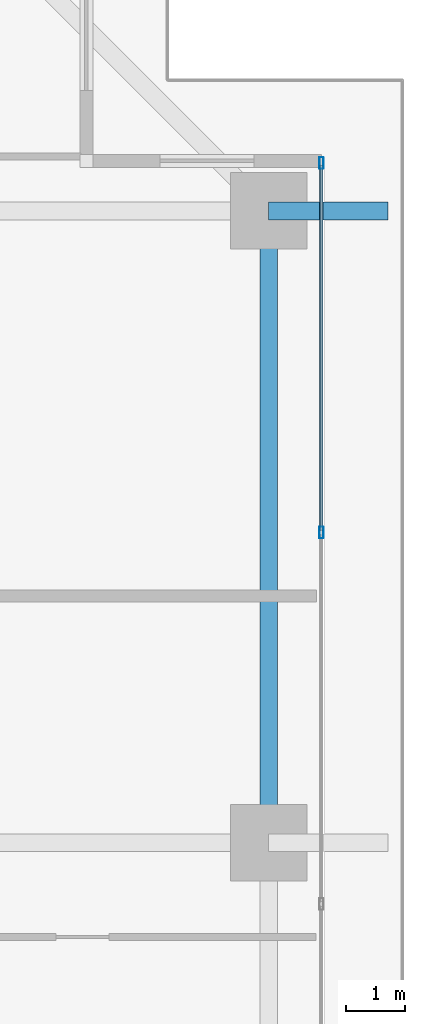
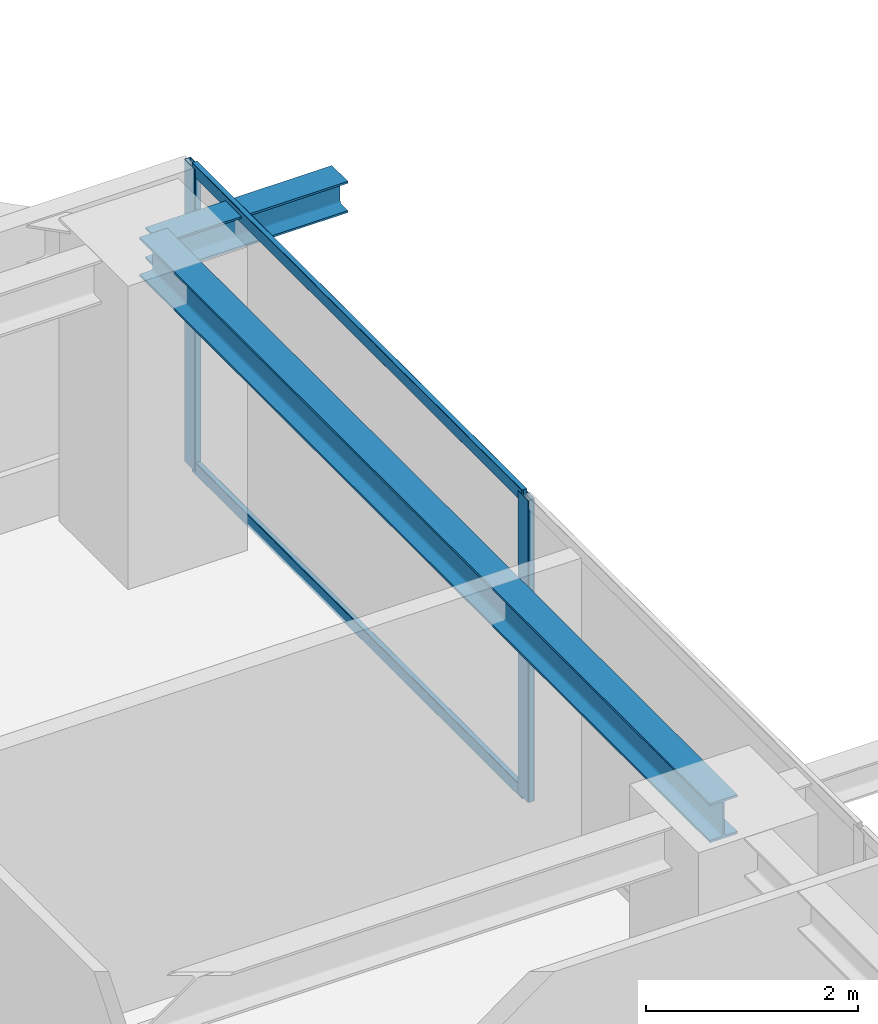
# One storey, part 24 of 39: 4 members, 2 beams, 1 element without a shape of its own.
"""IFC4 building model written with IfcOpenShell, lengths in metres."""

import ifcopenshell
import ifcopenshell.guid

model = None  # the IFC model being written
_history = None  # IfcOwnerHistory: only IFC2X3 demands one
_inside = {}  # id of a spatial element -> (the spatial element, [elements in it])
_under = {}  # id of a project, library or spatial element -> (it, [spatial elements below it])
_declared = {}  # id of a project -> (the project, [libraries it declares])
_typed = {}  # id of a type object -> (the type object, [elements of that type])
_made_of = {}  # id of a material, layer set ... -> (it, [elements and type objects made of it])


def new_model(schema):
    """Start an empty IFC model of exactly this schema.

    Asked for "IFC4X3", IfcOpenShell would pick the latest addendum, in which some entities
    have other attributes; the version numbers below select the first issue.
    IFC2X3 requires an IfcOwnerHistory on every rooted entity: one is made here for all.
    """
    global model, _history
    if schema == "IFC4X3":
        model = ifcopenshell.file(schema_version=(4, 3, 0, 0))
    else:
        model = ifcopenshell.file(schema=schema)
    _inside.clear()
    _under.clear()
    _declared.clear()
    _typed.clear()
    _made_of.clear()
    _history = None
    if model.schema == "IFC2X3":
        org = make("IfcOrganization", Name="unknown")
        user = make(
            "IfcPersonAndOrganization",
            ThePerson=make("IfcPerson", FamilyName="unknown"),
            TheOrganization=org,
        )
        app = make(
            "IfcApplication",
            ApplicationDeveloper=org,
            Version="unknown",
            ApplicationFullName="unknown",
            ApplicationIdentifier="unknown",
        )
        _history = make(
            "IfcOwnerHistory",
            OwningUser=user,
            OwningApplication=app,
            ChangeAction="ADDED",
            CreationDate=0,
        )
    return model


def make(cls, **values):
    """One entity of the class cls with the attributes given. An attribute that is None is left unset."""
    return model.create_entity(
        cls, **{name: value for name, value in values.items() if value is not None}
    )


def rooted(cls, **values):
    """An entity with a GlobalId (a new one), such as an element, a storey or a relation."""
    return make(cls, GlobalId=ifcopenshell.guid.new(), OwnerHistory=_history, **values)


def si_unit(unit_type, name, prefix=None):
    """IfcSIUnit, for example si_unit("LENGTHUNIT", "METRE", prefix="MILLI")."""
    return make("IfcSIUnit", UnitType=unit_type, Prefix=prefix, Name=name)


def assignment(units):
    """IfcUnitAssignment: the units of a project."""
    return None if units is None else make("IfcUnitAssignment", Units=units)


def point(xyz):
    """IfcCartesianPoint."""
    return None if xyz is None else make("IfcCartesianPoint", Coordinates=xyz)


def direction(xyz):
    """IfcDirection."""
    return None if xyz is None else make("IfcDirection", DirectionRatios=xyz)


def frame(location, z_axis=None, x_axis=None):
    """IfcAxis2Placement3D, a coordinate frame: its origin and axes. An axis left out is left unset."""
    return make(
        "IfcAxis2Placement3D",
        Location=point(location),
        Axis=direction(z_axis),
        RefDirection=direction(x_axis),
    )


def frame_2d(location, x_axis=None):
    """IfcAxis2Placement2D, a coordinate frame in the plane: its origin and x axis."""
    return make(
        "IfcAxis2Placement2D", Location=point(location), RefDirection=direction(x_axis)
    )


def origin():
    """The frame at (0, 0, 0) with its axes left unset."""
    return frame((0.0, 0.0, 0.0))


def origin_2d():
    """The frame at (0, 0) in the plane with its x axis left unset."""
    return frame_2d((0.0, 0.0))


def place(relative_to, where):
    """IfcLocalPlacement: puts the frame where relative to a parent placement (None: the world)."""
    return make(
        "IfcLocalPlacement", PlacementRelTo=relative_to, RelativePlacement=where
    )


def context(
    kind, dimensions, precision=None, world=None, true_north=None, identifier=None
):
    """IfcGeometricRepresentationContext, for example the 3D "Model" context."""
    return make(
        "IfcGeometricRepresentationContext",
        ContextIdentifier=identifier,
        ContextType=kind,
        CoordinateSpaceDimension=dimensions,
        Precision=precision,
        WorldCoordinateSystem=world,
        TrueNorth=true_north,
    )


def subcontext(parent, identifier, kind, view, scale=None):
    """IfcGeometricRepresentationSubContext, for example "Body" below "Model"."""
    return make(
        "IfcGeometricRepresentationSubContext",
        ContextIdentifier=identifier,
        ContextType=kind,
        ParentContext=parent,
        TargetScale=scale,
        TargetView=view,
    )


def project(units=None, contexts=None):
    """IfcProject with its units and contexts."""
    return rooted(
        "IfcProject",
        Name="project",
        RepresentationContexts=contexts,
        UnitsInContext=assignment(units),
    )


def spatial(cls, under=None, at=None, **own):
    """A site, building, storey or space (cls), placed at a placement, below another one or the project."""
    s = rooted(cls, ObjectPlacement=at, **own)
    if under is not None:
        _under.setdefault(under.id(), (under, []))[1].append(s)
    return s


def profile(cls, at=None, kind="AREA", **sizes):
    """A parametric profile (cls). Its sizes go by their IFC names, for example OverallWidth=200.0."""
    return make(cls, ProfileType=kind, Position=at, **sizes)


def hollow_rectangle(**sizes):
    """IfcRectangleHollowProfileDef."""
    return profile("IfcRectangleHollowProfileDef", **sizes)


def i_section(**sizes):
    """IfcIShapeProfileDef."""
    return profile("IfcIShapeProfileDef", **sizes)


def extrude(swept, where, along, depth):
    """IfcExtrudedAreaSolid: the profile swept, set in the frame where, extruded along a direction by depth."""
    return make(
        "IfcExtrudedAreaSolid",
        SweptArea=swept,
        Position=where,
        ExtrudedDirection=direction(along),
        Depth=depth,
    )


def shape(context_of_items, identifier, shape_type, items):
    """IfcShapeRepresentation: the items that make up one representation, for example the "Body"."""
    return make(
        "IfcShapeRepresentation",
        ContextOfItems=context_of_items,
        RepresentationIdentifier=identifier,
        RepresentationType=shape_type,
        Items=items,
    )


def source(mapping_origin, context_of_items, identifier, shape_type, items):
    """IfcRepresentationMap: a shape defined once, which mapped items show again and again."""
    return make(
        "IfcRepresentationMap",
        MappingOrigin=mapping_origin,
        MappedRepresentation=shape(context_of_items, identifier, shape_type, items),
    )


def transform(
    local_origin,
    x_axis=None,
    y_axis=None,
    z_axis=None,
    scale=None,
    scale2=None,
    scale3=None,
    uniform=True,
):
    """IfcCartesianTransformationOperator3D, or its non-uniform kind. x_axis, y_axis, z_axis: its Axis1, 2, 3."""
    if uniform:
        return make(
            "IfcCartesianTransformationOperator3D",
            Axis1=direction(x_axis),
            Axis2=direction(y_axis),
            LocalOrigin=point(local_origin),
            Scale=scale,
            Axis3=direction(z_axis),
        )
    return make(
        "IfcCartesianTransformationOperator3DnonUniform",
        Axis1=direction(x_axis),
        Axis2=direction(y_axis),
        LocalOrigin=point(local_origin),
        Scale=scale,
        Axis3=direction(z_axis),
        Scale2=scale2,
        Scale3=scale3,
    )


def mapped(mapping_source, mapping_target):
    """IfcMappedItem: shows the shape of a source again, moved by a transform."""
    return make(
        "IfcMappedItem", MappingSource=mapping_source, MappingTarget=mapping_target
    )


def material(Name=None, Category=None):
    """IfcMaterial."""
    return make("IfcMaterial", Name=Name, Category=Category)


def layer(
    of_material, thickness, ventilated=None, Name=None, Category=None, Priority=None
):
    """IfcMaterialLayer: one layer of a wall or slab, of a material (None: an air gap)."""
    return make(
        "IfcMaterialLayer",
        Material=of_material,
        LayerThickness=thickness,
        IsVentilated=ventilated,
        Name=Name,
        Category=Category,
        Priority=Priority,
    )


def layer_set(layers, Name=None):
    """IfcMaterialLayerSet."""
    return make("IfcMaterialLayerSet", MaterialLayers=layers, LayerSetName=Name)


def material_profile(
    of_material, cross_section, Name=None, Category=None, Priority=None
):
    """IfcMaterialProfile: a cross section and its material."""
    return make(
        "IfcMaterialProfile",
        Name=Name,
        Material=of_material,
        Profile=cross_section,
        Priority=Priority,
        Category=Category,
    )


def profile_set(profiles, Name=None, composite=None):
    """IfcMaterialProfileSet."""
    return make(
        "IfcMaterialProfileSet",
        Name=Name,
        MaterialProfiles=profiles,
        CompositeProfile=composite,
    )


def made_of(thing, what):
    """Note that an element or type object is made of a material, layer set ...; save() writes the relation."""
    if what is not None:
        _made_of.setdefault(what.id(), (what, []))[1].append(thing)
    return thing


def type_object(cls, material=None, **own):
    """A type object (cls), such as IfcWallType, which elements share."""
    return made_of(rooted(cls, **own), material)


def element(
    cls,
    number,
    at=None,
    inside=None,
    cuts=None,
    type_object=None,
    material=None,
    context=None,
    identifier="Body",
    shape_type=None,
    held_by="IfcProductDefinitionShape",
    body=None,
    shapes=None,
    **own,
):
    """One element of the class cls, such as IfcWall. Its Tag is "e" and its number.

    at: its placement. inside: the storey or other place that contains it. cuts: it is an
    opening in that element (IfcRelVoidsElement). A single representation is given by context,
    identifier, shape_type and body (its items); several are given by shapes. held_by: the class
    of the entity that holds the representations. save() writes the other relations.
    """
    e = rooted(cls, Tag="e%d" % number, ObjectPlacement=at, **own)
    if body is not None:
        shapes = [shape(context, identifier, shape_type, body)]
    if shapes is not None:
        e.Representation = make(held_by, Representations=shapes)
    if inside is not None:
        _inside.setdefault(inside.id(), (inside, []))[1].append(e)
    if cuts is not None:
        rooted(
            "IfcRelVoidsElement", RelatingBuildingElement=cuts, RelatedOpeningElement=e
        )
    if type_object is not None:
        _typed.setdefault(type_object.id(), (type_object, []))[1].append(e)
    return made_of(e, material)


def aggregate(whole, parts):
    """IfcRelAggregates: a whole, such as a stair, and the parts it consists of."""
    return rooted("IfcRelAggregates", RelatingObject=whole, RelatedObjects=parts)


def save(model, path):
    """Write the relations noted so far, then the file.

    IfcRelAggregates (storeys below a building ...), IfcRelContainedInSpatialStructure (elements
    in a storey), IfcRelDefinesByType, IfcRelAssociatesMaterial and IfcRelDeclares: one each for
    every whole, place, type object, material and project.
    """
    for whole, parts in _under.values():
        aggregate(whole, parts)
    for where, things in _inside.values():
        rooted(
            "IfcRelContainedInSpatialStructure",
            RelatedElements=things,
            RelatingStructure=where,
        )
    for kind, things in _typed.values():
        rooted("IfcRelDefinesByType", RelatedObjects=things, RelatingType=kind)
    for what, things in _made_of.values():
        rooted("IfcRelAssociatesMaterial", RelatedObjects=things, RelatingMaterial=what)
    for by, libraries in _declared.values():
        rooted("IfcRelDeclares", RelatingContext=by, RelatedDefinitions=libraries)
    model.write(path)


model = new_model("IFC4")

# Units and contexts
model_context = context("Model", 3, precision=1e-05, world=origin(), true_north=direction((0.0, 1.0)))
body_context = subcontext(model_context, "Body", "Model", "MODEL_VIEW")
ifc_project = project(units=[si_unit("LENGTHUNIT", "METRE"), si_unit("AREAUNIT", "SQUARE_METRE"), si_unit("VOLUMEUNIT", "CUBIC_METRE"), si_unit("PLANEANGLEUNIT", "RADIAN"), si_unit("MASSUNIT", "GRAM", prefix="KILO")], contexts=[model_context])

# Site, building, storey
site_placement = place(None, origin())
site = spatial("IfcSite", under=ifc_project, at=site_placement, CompositionType="ELEMENT")
building_placement = place(site_placement, origin())
building = spatial("IfcBuilding", under=site, at=building_placement, Name="Serunith Strait Residences", CompositionType="ELEMENT")
storey_placement = place(building_placement, frame((0.0, 0.0, 123.89990234375)))
storey = spatial("IfcBuildingStorey", under=building, at=storey_placement, Name="L30", CompositionType="ELEMENT", Elevation=123.89990234375)

# Beams
ifc_material_1 = material(Name="Steel S355J2", Category="steel")
ifc_material_profile_1 = material_profile(ifc_material_1, i_section(OverallWidth=0.300048828125, OverallDepth=0.449951171875, WebThickness=0.013916015625, FlangeThickness=0.02587890625, FilletRadius=0.027099609375, at=origin_2d()), Name="HEB 450")
ifc_profile_set_1 = profile_set([ifc_material_profile_1], Name="Steel S355J2")
beam_type_1 = type_object("IfcBeamType", Name="BM-HEB450", PredefinedType="BEAM", material=ifc_profile_set_1)
shared_shape_1 = source(origin(), body_context, "Body", "SweptSolid", [
    extrude(i_section(OverallWidth=0.300048828125, OverallDepth=0.449951171875, WebThickness=0.013916015625, FlangeThickness=0.02587890625, FilletRadius=0.027099609375, at=origin_2d()), origin(), (0.0, 0.0, 1.0), 10.75),
])
beam_1_placement = place(storey_placement, frame((56.10009765625, 29.39990234375, 3.26220703125), z_axis=(0.0, 1.0, 0.0), x_axis=(-1.0, 0.0, 0.0)))
element("IfcBeam", 1, at=beam_1_placement, inside=storey, type_object=beam_type_1, Name="L30 Perimeter Ring Beam 07", PredefinedType="BEAM", context=body_context, shape_type="MappedRepresentation", body=[
    mapped(shared_shape_1, transform((0.0, 0.0, 0.0), scale=1.0)),
])
ifc_material_profile_2 = material_profile(ifc_material_1, i_section(OverallWidth=0.300048828125, OverallDepth=0.360107421875, WebThickness=0.012451171875, FlangeThickness=0.0224609375, FilletRadius=0.027099609375, at=origin_2d()), Name="HEB 360")
ifc_profile_set_2 = profile_set([ifc_material_profile_2], Name="Steel S355J2")
beam_type_2 = type_object("IfcBeamType", Name="BM-HEB360", PredefinedType="BEAM", material=ifc_profile_set_2)
shared_shape_2 = source(origin(), body_context, "Body", "SweptSolid", [
    extrude(i_section(OverallWidth=0.300048828125, OverallDepth=0.360107421875, WebThickness=0.012451171875, FlangeThickness=0.0224609375, FilletRadius=0.027099609375, at=origin_2d()), origin(), (0.0, 0.0, 1.0), 2.02978515625),
])
beam_2_placement = place(storey_placement, frame((56.10009765625, 40.14990234375, 3.277099609375), z_axis=(1.0, 0.0, 0.0), x_axis=(0.0, 1.0, 0.0)))
element("IfcBeam", 2, at=beam_2_placement, inside=storey, type_object=beam_type_2, Name="L31 Cantilevered Balcony Rib TC-E4", PredefinedType="BEAM", context=body_context, shape_type="MappedRepresentation", body=[
    mapped(shared_shape_2, transform((0.0, 0.0, 0.0), scale=1.0)),
])

# Curtain wall, members
ifc_material_2 = material(Name="Pale-Champagne Anodised Aluminium", Category="aluminium")
ifc_layer = layer(ifc_material_2, 0.199951171875, Name="Pale-Champagne Anodised Aluminium")
ifc_layer_set = layer_set([ifc_layer], Name="Pale-Champagne Anodised Aluminium")
curtain_wall_type = type_object("IfcCurtainWallType", Name="CW-SYS2", PredefinedType="NOTDEFINED", material=ifc_layer_set)
curtain_wall_placement = place(storey_placement, origin())
curtain_wall = element("IfcCurtainWall", 3, at=curtain_wall_placement, inside=storey, type_object=curtain_wall_type, Name="L30 E Unitised Fritted Curtain Wall", PredefinedType="NOTDEFINED")
ifc_material_profile_3 = material_profile(ifc_material_2, hollow_rectangle(XDim=0.070068359375, YDim=0.199951171875, WallThickness=0.00390625, InnerFilletRadius=0.006103515625, OuterFilletRadius=0.010009765625, at=origin_2d()), Name="ALU 200x70x4")
ifc_profile_set_3 = profile_set([ifc_material_profile_3], Name="Pale-Champagne Anodised Aluminium")
member_type_1 = type_object("IfcMemberType", Name="CW-SYS2-MULL", PredefinedType="MULLION", material=ifc_profile_set_3)
shared_shape_3 = source(origin(), body_context, "Body", "SweptSolid", [
    extrude(hollow_rectangle(XDim=0.070068359375, YDim=0.199951171875, WallThickness=0.00390625, InnerFilletRadius=0.006103515625, OuterFilletRadius=0.010009765625, at=origin_2d()), origin(), (0.0, 0.0, 1.0), 3.47509765625),
])
member_1_placement = place(storey_placement, frame((57.0, 34.679931640625, 0.0), z_axis=(0.0, 0.0, 1.0), x_axis=(-1.0, 0.0, 0.0)))
member_1 = element("IfcMember", 4, at=member_1_placement, type_object=member_type_1, Name="CW-2 mullion 5", PredefinedType="MULLION", context=body_context, shape_type="MappedRepresentation", body=[
    mapped(shared_shape_3, transform((0.0, 0.0, 0.0), scale=1.0)),
])
member_2_placement = place(storey_placement, frame((57.0, 40.965087890625, 0.0), z_axis=(0.0, 0.0, 1.0), x_axis=(-1.0, 0.0, 0.0)))
member_2 = element("IfcMember", 5, at=member_2_placement, type_object=member_type_1, Name="CW-2 mullion 6", PredefinedType="MULLION", context=body_context, shape_type="MappedRepresentation", body=[
    mapped(shared_shape_3, transform((0.0, 0.0, 0.0), scale=1.0)),
])
ifc_material_profile_4 = material_profile(ifc_material_2, hollow_rectangle(XDim=0.06005859375, YDim=0.139892578125, WallThickness=0.00341796875, InnerFilletRadius=0.00537109375, OuterFilletRadius=0.0087890625, at=origin_2d()), Name="ALU 140x60x3.5")
ifc_profile_set_4 = profile_set([ifc_material_profile_4], Name="Pale-Champagne Anodised Aluminium")
member_type_2 = type_object("IfcMemberType", Name="CW-SYS2-TRAN", PredefinedType="USERDEFINED", material=ifc_profile_set_4)
shared_shape_4 = source(origin(), body_context, "Body", "SweptSolid", [
    extrude(hollow_rectangle(XDim=0.06005859375, YDim=0.139892578125, WallThickness=0.00341796875, InnerFilletRadius=0.00537109375, OuterFilletRadius=0.0087890625, at=origin_2d()), origin(), (0.0, 0.0, 1.0), 6.21484375),
])
member_3_placement = place(storey_placement, frame((57.0, 34.715087890625, 0.030029296875), z_axis=(0.0, 1.0, 0.0), x_axis=(-1.0, 0.0, 0.0)))
member_3 = element("IfcMember", 6, at=member_3_placement, type_object=member_type_2, Name="CW-2 transom 5.1", ObjectType="TRANSOM", PredefinedType="USERDEFINED", context=body_context, shape_type="MappedRepresentation", body=[
    mapped(shared_shape_4, transform((0.0, 0.0, 0.0), scale=1.0)),
])
member_4_placement = place(storey_placement, frame((57.0, 34.715087890625, 3.445068359375), z_axis=(0.0, 1.0, 0.0), x_axis=(-1.0, 0.0, 0.0)))
member_4 = element("IfcMember", 7, at=member_4_placement, type_object=member_type_2, Name="CW-2 transom 5.2", ObjectType="TRANSOM", PredefinedType="USERDEFINED", context=body_context, shape_type="MappedRepresentation", body=[
    mapped(shared_shape_4, transform((0.0, 0.0, 0.0), scale=1.0)),
])
aggregate(curtain_wall, [member_1, member_2, member_3, member_4])

save(model, "model.ifc")
